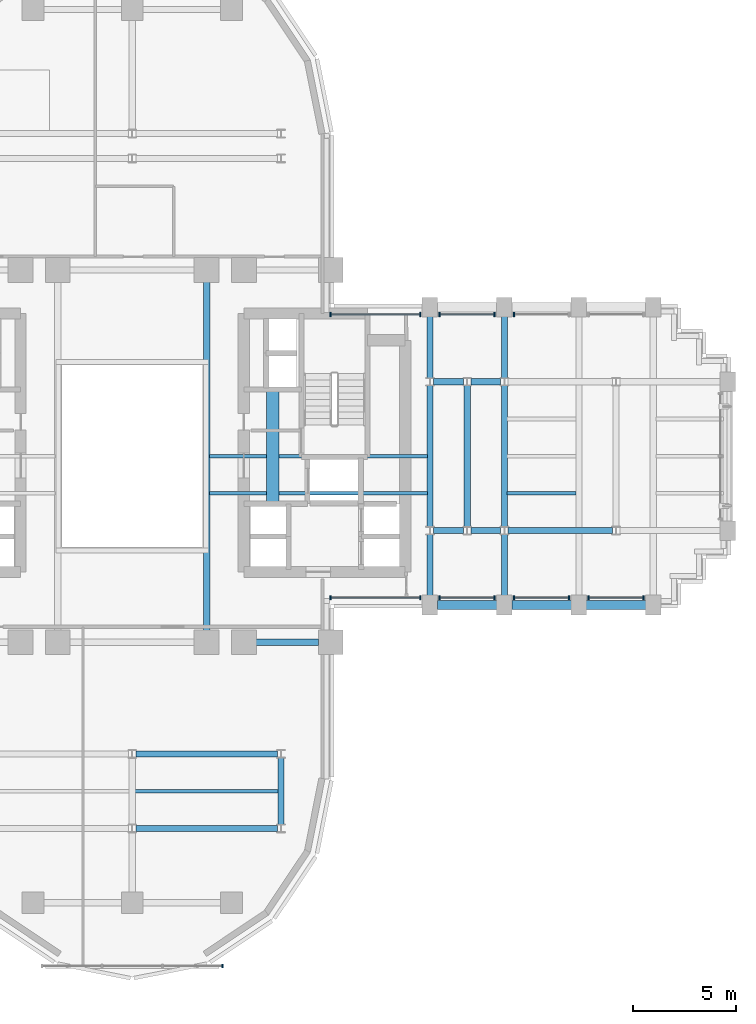
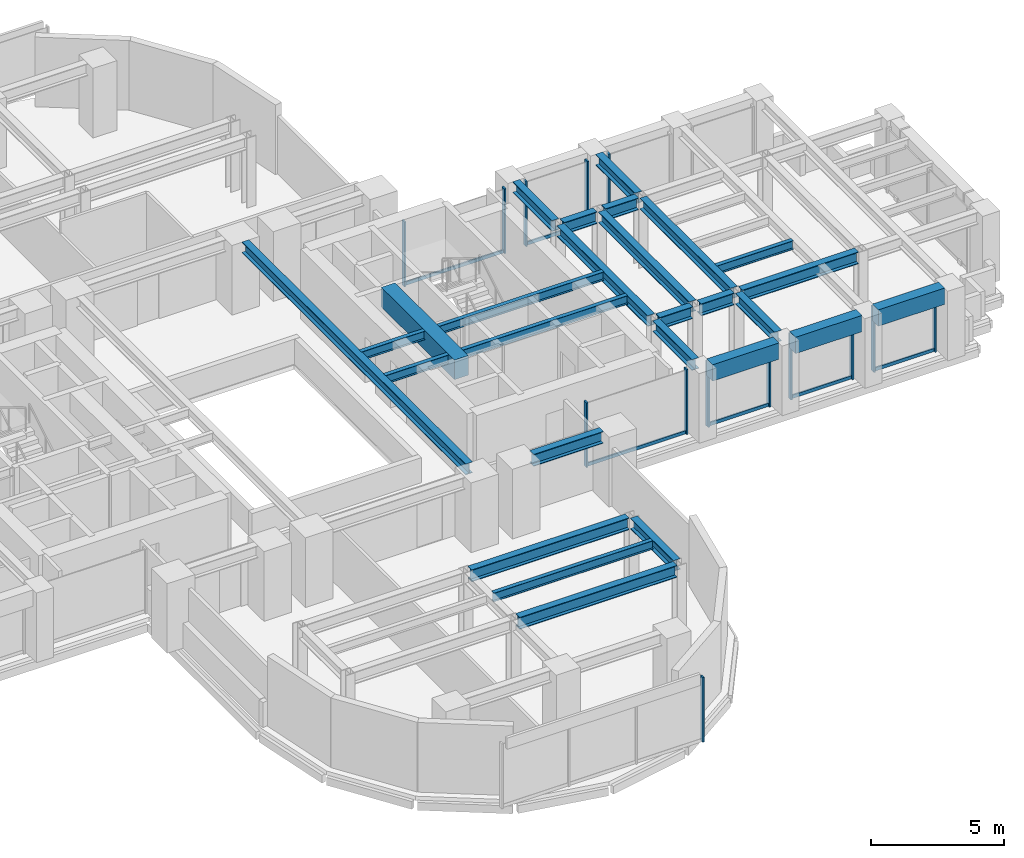
# One storey, part 5 of 16: 25 beams, 20 members, 8 elements without a shape of their own.
"""IFC4 building model written with IfcOpenShell, lengths in metres."""

from ifc_helpers import new_model, si_unit, direction, frame, origin, origin_2d, place, context, subcontext, project, spatial, rectangle, i_section, extrude, source, transform, mapped, material, material_profile, profile_set, type_object, element, aggregate, save


model = new_model("IFC4")

# Units and contexts
model_context = context("Model", 3, precision=1e-05, world=origin(), true_north=direction((0.0, 1.0)))
body_context = subcontext(model_context, "Body", "Model", "MODEL_VIEW")
ifc_project = project(units=[si_unit("LENGTHUNIT", "METRE"), si_unit("AREAUNIT", "SQUARE_METRE"), si_unit("VOLUMEUNIT", "CUBIC_METRE"), si_unit("PLANEANGLEUNIT", "RADIAN"), si_unit("MASSUNIT", "GRAM", prefix="KILO")], contexts=[model_context])

# Site, building, storey
site_placement = place(None, origin())
site = spatial("IfcSite", under=ifc_project, at=site_placement, CompositionType="ELEMENT")
building_placement = place(site_placement, origin())
building = spatial("IfcBuilding", under=site, at=building_placement, Name="Keilestroom Media Tower", CompositionType="ELEMENT")
storey_placement = place(building_placement, frame((0.0, 0.0, 30.60009765625)))
storey = spatial("IfcBuildingStorey", under=building, at=storey_placement, Name="L06", CompositionType="ELEMENT", Elevation=30.60009765625)

# Beams
ifc_material_1 = material(Name="Concrete C70/85", Category="concrete")
ifc_material_profile_1 = material_profile(ifc_material_1, rectangle(XDim=0.60009765625, YDim=0.89990234375, at=origin_2d()), Name="RC 600x900")
ifc_profile_set_1 = profile_set([ifc_material_profile_1], Name="Concrete C70/85")
beam_type_1 = type_object("IfcBeamType", Name="Core-Coupling-Lintel-Beam-RC-600x900", PredefinedType="LINTEL", material=ifc_profile_set_1)
shared_shape_1 = source(origin(), body_context, "Body", "SweptSolid", [
    extrude(rectangle(XDim=0.60009765625, YDim=0.89990234375, at=origin_2d()), origin(), (0.0, 0.0, 1.0), 5.52001953125),
])
beam_1_placement = place(storey_placement, frame((6.800048828125, -2.300048828125, 2.75), z_axis=(0.0, 1.0, 0.0), x_axis=(-1.0, 0.0, 0.0)))
element("IfcBeam", 1, at=beam_1_placement, inside=storey, type_object=beam_type_1, Name="L06 Beam CLB-1 CLB-L06-E", PredefinedType="LINTEL", context=body_context, shape_type="MappedRepresentation", body=[
    mapped(shared_shape_1, transform((0.0, 0.0, 0.0), x_axis=(1.0, 0.0, 0.0), y_axis=(0.0, 1.0, 0.0), z_axis=(0.0, 0.0, 1.0), scale=1.0)),
])
ifc_material_2 = material(Name="Steel S355", Category="steel")
ifc_material_profile_2 = material_profile(ifc_material_2, i_section(OverallWidth=0.300048828125, OverallDepth=0.550048828125, WebThickness=0.012939453125, FlangeThickness=0.029052734375, at=origin_2d()), Name="HEB 550")
ifc_profile_set_2 = profile_set([ifc_material_profile_2], Name="Steel S355")
beam_type_2 = type_object("IfcBeamType", Name="Primary-Structural-Girder-HEB-550", PredefinedType="BEAM", material=ifc_profile_set_2)
shared_shape_2 = source(origin(), body_context, "Body", "SweptSolid", [
    extrude(i_section(OverallWidth=0.300048828125, OverallDepth=0.550048828125, WebThickness=0.012939453125, FlangeThickness=0.029052734375, at=origin_2d()), origin(), (0.0, 0.0, 1.0), 6.836181640625),
])
for number, where, z_axis, x_axis, name in (
    (2, (0.181884765625, -18.0, 2.9248046875), (1.0, 0.0, 0.0), (0.0, 1.0, 0.0), "L06 Beam BG-5 BM-L06-EW-004"),
    (3, (0.181884765625, -14.39990234375, 2.9248046875), (1.0, 0.0, 0.0), (0.0, 1.0, 0.0), "L06 Beam BG-5 BM-L06-EW-006"),
):
    element("IfcBeam", number, at=place(storey_placement, frame(where, z_axis=z_axis, x_axis=x_axis)), inside=storey, type_object=beam_type_2, Name=name, PredefinedType="BEAM", context=body_context, shape_type="MappedRepresentation", body=[
        mapped(shared_shape_2, transform((0.0, 0.0, 0.0), x_axis=(1.0, 0.0, 0.0), y_axis=(0.0, 1.0, 0.0), z_axis=(0.0, 0.0, 1.0), scale=1.0)),
    ])
shared_shape_3 = source(origin(), body_context, "Body", "SweptSolid", [
    extrude(i_section(OverallWidth=0.300048828125, OverallDepth=0.550048828125, WebThickness=0.012939453125, FlangeThickness=0.029052734375, at=origin_2d()), origin(), (0.0, 0.0, 1.0), 3.0400390625),
])
beam_2_placement = place(storey_placement, frame((5.97998046875, -9.0, 2.9248046875), z_axis=(1.0, 0.0, 0.0), x_axis=(0.0, 1.0, 0.0)))
element("IfcBeam", 4, at=beam_2_placement, inside=storey, type_object=beam_type_2, Name="L06 Beam BG-5 BM-L06-EW-011", PredefinedType="BEAM", context=body_context, shape_type="MappedRepresentation", body=[
    mapped(shared_shape_3, transform((0.0, 0.0, 0.0), x_axis=(1.0, 0.0, 0.0), y_axis=(0.0, 1.0, 0.0), z_axis=(0.0, 0.0, 1.0), scale=1.0)),
])
ifc_material_3 = material(Name="Precast concrete C40/50", Category="concrete")
ifc_material_profile_3 = material_profile(ifc_material_3, rectangle(XDim=0.449951171875, YDim=0.75, at=origin_2d()), Name="PC 450x750")
ifc_profile_set_3 = profile_set([ifc_material_profile_3], Name="Precast concrete C40/50")
beam_type_3 = type_object("IfcBeamType", Name="Perimeter-Spandrel-Beam-PC-450x750", PredefinedType="SPANDREL", material=ifc_profile_set_3)
shared_shape_4 = source(origin(), body_context, "Body", "SweptSolid", [
    extrude(rectangle(XDim=0.449951171875, YDim=0.75, at=origin_2d()), origin(), (0.0, 0.0, 1.0), 2.889892578125),
])
beam_3_placement = place(storey_placement, frame((21.955078125, -7.199951171875, 2.824951171875), z_axis=(1.0, 0.0, 0.0), x_axis=(0.0, 1.0, 0.0)))
element("IfcBeam", 5, at=beam_3_placement, inside=storey, type_object=beam_type_3, Name="L06 Beam SPB-1 BM-L06-EW-017", PredefinedType="SPANDREL", context=body_context, shape_type="MappedRepresentation", body=[
    mapped(shared_shape_4, transform((0.0, 0.0, 0.0), x_axis=(1.0, 0.0, 0.0), y_axis=(0.0, 1.0, 0.0), z_axis=(0.0, 0.0, 1.0), scale=1.0)),
])
shared_shape_5 = source(origin(), body_context, "Body", "SweptSolid", [
    extrude(rectangle(XDim=0.449951171875, YDim=0.75, at=origin_2d()), origin(), (0.0, 0.0, 1.0), 2.89013671875),
])
for number, where, z_axis, x_axis, name in (
    (6, (14.7548828125, -7.199951171875, 2.824951171875), (1.0, 0.0, 0.0), (0.0, 1.0, 0.0), "L06 Beam SPB-1 BM-L06-EW-015"),
    (7, (18.35498046875, -7.199951171875, 2.824951171875), (1.0, 0.0, 0.0), (0.0, 1.0, 0.0), "L06 Beam SPB-1 BM-L06-EW-016"),
):
    element("IfcBeam", number, at=place(storey_placement, frame(where, z_axis=z_axis, x_axis=x_axis)), inside=storey, type_object=beam_type_3, Name=name, PredefinedType="SPANDREL", context=body_context, shape_type="MappedRepresentation", body=[
        mapped(shared_shape_5, transform((0.0, 0.0, 0.0), x_axis=(1.0, 0.0, 0.0), y_axis=(0.0, 1.0, 0.0), z_axis=(0.0, 0.0, 1.0), scale=1.0)),
    ])
shared_shape_6 = source(origin(), body_context, "Body", "SweptSolid", [
    extrude(i_section(OverallWidth=0.300048828125, OverallDepth=0.550048828125, WebThickness=0.012939453125, FlangeThickness=0.029052734375, at=origin_2d()), origin(), (0.0, 0.0, 1.0), 5.0361328125),
])
beam_4_placement = place(storey_placement, frame((18.181884765625, -3.60009765625, 2.9248046875), z_axis=(1.0, 0.0, 0.0), x_axis=(0.0, 1.0, 0.0)))
element("IfcBeam", 8, at=beam_4_placement, inside=storey, type_object=beam_type_2, Name="L06 Beam BG-5 BM-L06-EW-024", PredefinedType="BEAM", context=body_context, shape_type="MappedRepresentation", body=[
    mapped(shared_shape_6, transform((0.0, 0.0, 0.0), x_axis=(1.0, 0.0, 0.0), y_axis=(0.0, 1.0, 0.0), z_axis=(0.0, 0.0, 1.0), scale=1.0)),
])
shared_shape_7 = source(origin(), body_context, "Body", "SweptSolid", [
    extrude(i_section(OverallWidth=0.300048828125, OverallDepth=0.550048828125, WebThickness=0.012939453125, FlangeThickness=0.029052734375, at=origin_2d()), origin(), (0.0, 0.0, 1.0), 1.43603515625),
])
for number, where, z_axis, x_axis, name in (
    (9, (14.58203125, -3.60009765625, 2.9248046875), (1.0, 0.0, 0.0), (0.0, 1.0, 0.0), "L06 Beam BG-5 BM-L06-EW-022"),
    (10, (16.382080078125, -3.60009765625, 2.9248046875), (1.0, 0.0, 0.0), (0.0, 1.0, 0.0), "L06 Beam BG-5 BM-L06-EW-023"),
    (11, (14.58203125, 3.60009765625, 2.9248046875), (1.0, 0.0, 0.0), (0.0, 1.0, 0.0), "L06 Beam BG-5 BM-L06-EW-030"),
    (12, (16.382080078125, 3.60009765625, 2.9248046875), (1.0, 0.0, 0.0), (0.0, 1.0, 0.0), "L06 Beam BG-5 BM-L06-EW-031"),
):
    element("IfcBeam", number, at=place(storey_placement, frame(where, z_axis=z_axis, x_axis=x_axis)), inside=storey, type_object=beam_type_2, Name=name, PredefinedType="BEAM", context=body_context, shape_type="MappedRepresentation", body=[
        mapped(shared_shape_7, transform((0.0, 0.0, 0.0), x_axis=(1.0, 0.0, 0.0), y_axis=(0.0, 1.0, 0.0), z_axis=(0.0, 0.0, 1.0), scale=1.0)),
    ])
ifc_material_profile_4 = material_profile(ifc_material_2, i_section(OverallWidth=0.300048828125, OverallDepth=0.5, WebThickness=0.012451171875, FlangeThickness=0.028076171875, at=origin_2d()), Name="HEB 500")
ifc_profile_set_4 = profile_set([ifc_material_profile_4], Name="Steel S355")
beam_type_4 = type_object("IfcBeamType", Name="Primary-Structural-Girder-HEB-500", PredefinedType="BEAM", material=ifc_profile_set_4)
shared_shape_8 = source(origin(), body_context, "Body", "SweptSolid", [
    extrude(i_section(OverallWidth=0.300048828125, OverallDepth=0.5, WebThickness=0.012451171875, FlangeThickness=0.028076171875, at=origin_2d()), origin(), (0.0, 0.0, 1.0), 6.8330078125),
])
for number, where, z_axis, x_axis, name in (
    (13, (14.39990234375, -3.41650390625, 2.949951171875), (0.0, 1.0, 0.0), (-1.0, 0.0, 0.0), "L06 Beam BG-6 BM-L06-NS-077"),
    (14, (16.199951171875, -3.41650390625, 2.949951171875), (0.0, 1.0, 0.0), (-1.0, 0.0, 0.0), "L06 Beam BG-6 BM-L06-NS-079"),
    (15, (18.0, -3.41650390625, 2.949951171875), (0.0, 1.0, 0.0), (-1.0, 0.0, 0.0), "L06 Beam BG-6 BM-L06-NS-081"),
):
    element("IfcBeam", number, at=place(storey_placement, frame(where, z_axis=z_axis, x_axis=x_axis)), inside=storey, type_object=beam_type_4, Name=name, PredefinedType="BEAM", context=body_context, shape_type="MappedRepresentation", body=[
        mapped(shared_shape_8, transform((0.0, 0.0, 0.0), x_axis=(1.0, 0.0, 0.0), y_axis=(0.0, 1.0, 0.0), z_axis=(0.0, 0.0, 1.0), scale=1.0)),
    ])
shared_shape_9 = source(origin(), body_context, "Body", "SweptSolid", [
    extrude(i_section(OverallWidth=0.300048828125, OverallDepth=0.5, WebThickness=0.012451171875, FlangeThickness=0.028076171875, at=origin_2d()), origin(), (0.0, 0.0, 1.0), 2.961669921875),
])
for number, where, z_axis, x_axis, name in (
    (16, (14.39990234375, -6.7451171875, 2.949951171875), (0.0, 1.0, 0.0), (-1.0, 0.0, 0.0), "L06 Beam BG-6 BM-L06-NS-076"),
    (17, (14.39990234375, 3.783447265625, 2.949951171875), (0.0, 1.0, 0.0), (-1.0, 0.0, 0.0), "L06 Beam BG-6 BM-L06-NS-078"),
    (18, (18.0, -6.7451171875, 2.949951171875), (0.0, 1.0, 0.0), (-1.0, 0.0, 0.0), "L06 Beam BG-6 BM-L06-NS-080"),
    (19, (18.0, 3.783447265625, 2.949951171875), (0.0, 1.0, 0.0), (-1.0, 0.0, 0.0), "L06 Beam BG-6 BM-L06-NS-082"),
):
    element("IfcBeam", number, at=place(storey_placement, frame(where, z_axis=z_axis, x_axis=x_axis)), inside=storey, type_object=beam_type_4, Name=name, PredefinedType="BEAM", context=body_context, shape_type="MappedRepresentation", body=[
        mapped(shared_shape_9, transform((0.0, 0.0, 0.0), x_axis=(1.0, 0.0, 0.0), y_axis=(0.0, 1.0, 0.0), z_axis=(0.0, 0.0, 1.0), scale=1.0)),
    ])
shared_shape_10 = source(origin(), body_context, "Body", "SweptSolid", [
    extrude(i_section(OverallWidth=0.300048828125, OverallDepth=0.5, WebThickness=0.012451171875, FlangeThickness=0.028076171875, at=origin_2d()), origin(), (0.0, 0.0, 1.0), 3.23291015625),
])
beam_5_placement = place(storey_placement, frame((7.199951171875, -17.81640625, 2.949951171875), z_axis=(0.0, 1.0, 0.0), x_axis=(-1.0, 0.0, 0.0)))
element("IfcBeam", 20, at=beam_5_placement, inside=storey, type_object=beam_type_4, Name="L06 Beam BG-6 BM-L06-NS-073", PredefinedType="BEAM", context=body_context, shape_type="MappedRepresentation", body=[
    mapped(shared_shape_10, transform((0.0, 0.0, 0.0), x_axis=(1.0, 0.0, 0.0), y_axis=(0.0, 1.0, 0.0), z_axis=(0.0, 0.0, 1.0), scale=1.0)),
])
shared_shape_11 = source(origin(), body_context, "Body", "SweptSolid", [
    extrude(i_section(OverallWidth=0.300048828125, OverallDepth=0.5, WebThickness=0.012451171875, FlangeThickness=0.028076171875, at=origin_2d()), origin(), (0.0, 0.0, 1.0), 16.83984375),
])
beam_6_placement = place(storey_placement, frame((3.60009765625, -8.419921875, 2.949951171875), z_axis=(0.0, 1.0, 0.0), x_axis=(-1.0, 0.0, 0.0)))
element("IfcBeam", 21, at=beam_6_placement, inside=storey, type_object=beam_type_4, Name="L06 Beam BG-6 BM-L06-NS-071", PredefinedType="BEAM", context=body_context, shape_type="MappedRepresentation", body=[
    mapped(shared_shape_11, transform((0.0, 0.0, 0.0), x_axis=(1.0, 0.0, 0.0), y_axis=(0.0, 1.0, 0.0), z_axis=(0.0, 0.0, 1.0), scale=1.0)),
])
ifc_material_profile_5 = material_profile(ifc_material_2, i_section(OverallWidth=0.179931640625, OverallDepth=0.39990234375, WebThickness=0.008544921875, FlangeThickness=0.013427734375, at=origin_2d()), Name="IPE 400")
ifc_profile_set_5 = profile_set([ifc_material_profile_5], Name="Steel S355")
beam_type_5 = type_object("IfcBeamType", Name="Secondary-Floor-Joist-IPE-400", PredefinedType="JOIST", material=ifc_profile_set_5)
shared_shape_12 = source(origin(), body_context, "Body", "SweptSolid", [
    extrude(i_section(OverallWidth=0.179931640625, OverallDepth=0.39990234375, WebThickness=0.008544921875, FlangeThickness=0.013427734375, at=origin_2d()), origin(), (0.0, 0.0, 1.0), 6.940185546875),
])
beam_7_placement = place(storey_placement, frame((0.1298828125, -16.199951171875, 3.0), z_axis=(1.0, 0.0, 0.0), x_axis=(0.0, 1.0, 0.0)))
element("IfcBeam", 22, at=beam_7_placement, inside=storey, type_object=beam_type_5, Name="L06 Beam BJ-4 JST-L06-088", PredefinedType="JOIST", context=body_context, shape_type="MappedRepresentation", body=[
    mapped(shared_shape_12, transform((0.0, 0.0, 0.0), x_axis=(1.0, 0.0, 0.0), y_axis=(0.0, 1.0, 0.0), z_axis=(0.0, 0.0, 1.0), scale=1.0)),
])
shared_shape_13 = source(origin(), body_context, "Body", "SweptSolid", [
    extrude(i_section(OverallWidth=0.179931640625, OverallDepth=0.39990234375, WebThickness=0.008544921875, FlangeThickness=0.013427734375, at=origin_2d()), origin(), (0.0, 0.0, 1.0), 3.340087890625),
])
beam_8_placement = place(storey_placement, frame((18.1298828125, -1.800048828125, 3.0), z_axis=(1.0, 0.0, 0.0), x_axis=(0.0, 1.0, 0.0)))
element("IfcBeam", 23, at=beam_8_placement, inside=storey, type_object=beam_type_5, Name="L06 Beam BJ-4 JST-L06-094", PredefinedType="JOIST", context=body_context, shape_type="MappedRepresentation", body=[
    mapped(shared_shape_13, transform((0.0, 0.0, 0.0), x_axis=(1.0, 0.0, 0.0), y_axis=(0.0, 1.0, 0.0), z_axis=(0.0, 0.0, 1.0), scale=1.0)),
])
shared_shape_14 = source(origin(), body_context, "Body", "SweptSolid", [
    extrude(i_section(OverallWidth=0.179931640625, OverallDepth=0.39990234375, WebThickness=0.008544921875, FlangeThickness=0.013427734375, at=origin_2d()), origin(), (0.0, 0.0, 1.0), 10.5400390625),
])
for number, where, z_axis, x_axis, name in (
    (24, (3.72998046875, -1.800048828125, 3.0), (1.0, 0.0, 0.0), (0.0, 1.0, 0.0), "L06 Beam BJ-4 JST-L06-093"),
    (25, (3.72998046875, 0.0, 3.0), (1.0, 0.0, 0.0), (0.0, 1.0, 0.0), "L06 Beam BJ-4 JST-L06-100"),
):
    element("IfcBeam", number, at=place(storey_placement, frame(where, z_axis=z_axis, x_axis=x_axis)), inside=storey, type_object=beam_type_5, Name=name, PredefinedType="JOIST", context=body_context, shape_type="MappedRepresentation", body=[
        mapped(shared_shape_14, transform((0.0, 0.0, 0.0), x_axis=(1.0, 0.0, 0.0), y_axis=(0.0, 1.0, 0.0), z_axis=(0.0, 0.0, 1.0), scale=1.0)),
    ])

# Curtain wall, members
ifc_material_4 = material(Name="Anodised Aluminium Alloy", Category="aluminium")
curtain_wall_type_1 = type_object("IfcCurtainWallType", Name="Unitised-Curtain-Wall-CW-1", PredefinedType="NOTDEFINED", material=ifc_material_4)
curtain_wall_1_placement = place(storey_placement, origin())
curtain_wall_1 = element("IfcCurtainWall", 26, at=curtain_wall_1_placement, inside=storey, type_object=curtain_wall_type_1, Name="L06 Curtain Wall CW-1 CW-L06-NE-1", PredefinedType="NOTDEFINED")
ifc_material_profile_6 = material_profile(ifc_material_4, rectangle(XDim=0.070068359375, YDim=0.199951171875, at=origin_2d()), Name="ALU MULLION 70x200")
ifc_profile_set_6 = profile_set([ifc_material_profile_6], Name="Anodised Aluminium Alloy")
member_type_1 = type_object("IfcMemberType", Name="Curtain-Wall-Mullion-CW-1", PredefinedType="MULLION", material=ifc_profile_set_6)
shared_shape_15 = source(origin(), body_context, "Body", "SweptSolid", [
    extrude(rectangle(XDim=0.070068359375, YDim=0.199951171875, at=origin_2d()), origin(), (0.0, 0.0, 1.0), 2.97998046875),
])
member_1_placement = place(storey_placement, frame((9.5849609375, 6.85009765625, 0.0), z_axis=(0.0, 0.0, 1.0), x_axis=(1.0, 0.0, 0.0)))
member_1 = element("IfcMember", 27, at=member_1_placement, type_object=member_type_1, Name="CW-1 Mullion 00", PredefinedType="MULLION", context=body_context, shape_type="MappedRepresentation", body=[
    mapped(shared_shape_15, transform((0.0, 0.0, 0.0), x_axis=(1.0, 0.0, 0.0), y_axis=(0.0, 1.0, 0.0), z_axis=(0.0, 0.0, 1.0), scale=1.0)),
])
member_2_placement = place(storey_placement, frame((13.929931640625, 6.85009765625, 0.0), z_axis=(0.0, 0.0, 1.0), x_axis=(1.0, 0.0, 0.0)))
member_2 = element("IfcMember", 28, at=member_2_placement, type_object=member_type_1, Name="CW-1 Mullion 01", PredefinedType="MULLION", context=body_context, shape_type="MappedRepresentation", body=[
    mapped(shared_shape_15, transform((0.0, 0.0, 0.0), x_axis=(1.0, 0.0, 0.0), y_axis=(0.0, 1.0, 0.0), z_axis=(0.0, 0.0, 1.0), scale=1.0)),
])

curtain_wall_2_placement = place(storey_placement, origin())
curtain_wall_2 = element("IfcCurtainWall", 29, at=curtain_wall_2_placement, inside=storey, type_object=curtain_wall_type_1, Name="L06 Curtain Wall CW-1 CW-L06-NE-2", PredefinedType="NOTDEFINED")
member_3_placement = place(storey_placement, frame((14.8701171875, 6.85009765625, 0.0), z_axis=(0.0, 0.0, 1.0), x_axis=(1.0, 0.0, 0.0)))
member_3 = element("IfcMember", 30, at=member_3_placement, type_object=member_type_1, Name="CW-1 Mullion 00", PredefinedType="MULLION", context=body_context, shape_type="MappedRepresentation", body=[
    mapped(shared_shape_15, transform((0.0, 0.0, 0.0), x_axis=(1.0, 0.0, 0.0), y_axis=(0.0, 1.0, 0.0), z_axis=(0.0, 0.0, 1.0), scale=1.0)),
])
member_4_placement = place(storey_placement, frame((17.530029296875, 6.85009765625, 0.0), z_axis=(0.0, 0.0, 1.0), x_axis=(1.0, 0.0, 0.0)))
member_4 = element("IfcMember", 31, at=member_4_placement, type_object=member_type_1, Name="CW-1 Mullion 01", PredefinedType="MULLION", context=body_context, shape_type="MappedRepresentation", body=[
    mapped(shared_shape_15, transform((0.0, 0.0, 0.0), x_axis=(1.0, 0.0, 0.0), y_axis=(0.0, 1.0, 0.0), z_axis=(0.0, 0.0, 1.0), scale=1.0)),
])

# Curtain wall, member
curtain_wall_3_placement = place(storey_placement, origin())
curtain_wall_3 = element("IfcCurtainWall", 32, at=curtain_wall_3_placement, inside=storey, type_object=curtain_wall_type_1, Name="L06 Curtain Wall CW-1 CW-L06-NE-3", PredefinedType="NOTDEFINED")
member_5_placement = place(storey_placement, frame((18.469970703125, 6.85009765625, 0.0), z_axis=(0.0, 0.0, 1.0), x_axis=(1.0, 0.0, 0.0)))
member_5 = element("IfcMember", 33, at=member_5_placement, type_object=member_type_1, Name="CW-1 Mullion 00", PredefinedType="MULLION", context=body_context, shape_type="MappedRepresentation", body=[
    mapped(shared_shape_15, transform((0.0, 0.0, 0.0), x_axis=(1.0, 0.0, 0.0), y_axis=(0.0, 1.0, 0.0), z_axis=(0.0, 0.0, 1.0), scale=1.0)),
])
aggregate(curtain_wall_3, [member_5])

# Curtain wall, members
curtain_wall_4_placement = place(storey_placement, origin())
curtain_wall_4 = element("IfcCurtainWall", 34, at=curtain_wall_4_placement, inside=storey, type_object=curtain_wall_type_1, Name="L06 Curtain Wall CW-1 CW-L06-SE-1", PredefinedType="NOTDEFINED")
member_6_placement = place(storey_placement, frame((9.5849609375, -6.85009765625, 0.0), z_axis=(0.0, 0.0, 1.0), x_axis=(1.0, 0.0, 0.0)))
member_6 = element("IfcMember", 35, at=member_6_placement, type_object=member_type_1, Name="CW-1 Mullion 00", PredefinedType="MULLION", context=body_context, shape_type="MappedRepresentation", body=[
    mapped(shared_shape_15, transform((0.0, 0.0, 0.0), x_axis=(1.0, 0.0, 0.0), y_axis=(0.0, 1.0, 0.0), z_axis=(0.0, 0.0, 1.0), scale=1.0)),
])
member_7_placement = place(storey_placement, frame((13.929931640625, -6.85009765625, 0.0), z_axis=(0.0, 0.0, 1.0), x_axis=(1.0, 0.0, 0.0)))
member_7 = element("IfcMember", 36, at=member_7_placement, type_object=member_type_1, Name="CW-1 Mullion 01", PredefinedType="MULLION", context=body_context, shape_type="MappedRepresentation", body=[
    mapped(shared_shape_15, transform((0.0, 0.0, 0.0), x_axis=(1.0, 0.0, 0.0), y_axis=(0.0, 1.0, 0.0), z_axis=(0.0, 0.0, 1.0), scale=1.0)),
])

curtain_wall_5_placement = place(storey_placement, origin())
curtain_wall_5 = element("IfcCurtainWall", 37, at=curtain_wall_5_placement, inside=storey, type_object=curtain_wall_type_1, Name="L06 Curtain Wall CW-1 CW-L06-SE-2", PredefinedType="NOTDEFINED")
member_8_placement = place(storey_placement, frame((14.8701171875, -6.85009765625, 0.0), z_axis=(0.0, 0.0, 1.0), x_axis=(1.0, 0.0, 0.0)))
member_8 = element("IfcMember", 38, at=member_8_placement, type_object=member_type_1, Name="CW-1 Mullion 00", PredefinedType="MULLION", context=body_context, shape_type="MappedRepresentation", body=[
    mapped(shared_shape_15, transform((0.0, 0.0, 0.0), x_axis=(1.0, 0.0, 0.0), y_axis=(0.0, 1.0, 0.0), z_axis=(0.0, 0.0, 1.0), scale=1.0)),
])
member_9_placement = place(storey_placement, frame((17.530029296875, -6.85009765625, 0.0), z_axis=(0.0, 0.0, 1.0), x_axis=(1.0, 0.0, 0.0)))
member_9 = element("IfcMember", 39, at=member_9_placement, type_object=member_type_1, Name="CW-1 Mullion 01", PredefinedType="MULLION", context=body_context, shape_type="MappedRepresentation", body=[
    mapped(shared_shape_15, transform((0.0, 0.0, 0.0), x_axis=(1.0, 0.0, 0.0), y_axis=(0.0, 1.0, 0.0), z_axis=(0.0, 0.0, 1.0), scale=1.0)),
])

curtain_wall_6_placement = place(storey_placement, origin())
curtain_wall_6 = element("IfcCurtainWall", 40, at=curtain_wall_6_placement, inside=storey, type_object=curtain_wall_type_1, Name="L06 Curtain Wall CW-1 CW-L06-SE-3", PredefinedType="NOTDEFINED")
member_10_placement = place(storey_placement, frame((18.469970703125, -6.85009765625, 0.0), z_axis=(0.0, 0.0, 1.0), x_axis=(1.0, 0.0, 0.0)))
member_10 = element("IfcMember", 41, at=member_10_placement, type_object=member_type_1, Name="CW-1 Mullion 00", PredefinedType="MULLION", context=body_context, shape_type="MappedRepresentation", body=[
    mapped(shared_shape_15, transform((0.0, 0.0, 0.0), x_axis=(1.0, 0.0, 0.0), y_axis=(0.0, 1.0, 0.0), z_axis=(0.0, 0.0, 1.0), scale=1.0)),
])
member_11_placement = place(storey_placement, frame((21.1298828125, -6.85009765625, 0.0), z_axis=(0.0, 0.0, 1.0), x_axis=(1.0, 0.0, 0.0)))
member_11 = element("IfcMember", 42, at=member_11_placement, type_object=member_type_1, Name="CW-1 Mullion 01", PredefinedType="MULLION", context=body_context, shape_type="MappedRepresentation", body=[
    mapped(shared_shape_15, transform((0.0, 0.0, 0.0), x_axis=(1.0, 0.0, 0.0), y_axis=(0.0, 1.0, 0.0), z_axis=(0.0, 0.0, 1.0), scale=1.0)),
])

curtain_wall_7_placement = place(storey_placement, origin())
curtain_wall_7 = element("IfcCurtainWall", 43, at=curtain_wall_7_placement, inside=storey, type_object=curtain_wall_type_1, Name="L06 Curtain Wall CW-1 CW-L06-SE-4", PredefinedType="NOTDEFINED")
member_12_placement = place(storey_placement, frame((22.070068359375, -6.85009765625, 0.0), z_axis=(0.0, 0.0, 1.0), x_axis=(1.0, 0.0, 0.0)))
member_12 = element("IfcMember", 44, at=member_12_placement, type_object=member_type_1, Name="CW-1 Mullion 00", PredefinedType="MULLION", context=body_context, shape_type="MappedRepresentation", body=[
    mapped(shared_shape_15, transform((0.0, 0.0, 0.0), x_axis=(1.0, 0.0, 0.0), y_axis=(0.0, 1.0, 0.0), z_axis=(0.0, 0.0, 1.0), scale=1.0)),
])
member_13_placement = place(storey_placement, frame((24.72998046875, -6.85009765625, 0.0), z_axis=(0.0, 0.0, 1.0), x_axis=(1.0, 0.0, 0.0)))
member_13 = element("IfcMember", 45, at=member_13_placement, type_object=member_type_1, Name="CW-1 Mullion 01", PredefinedType="MULLION", context=body_context, shape_type="MappedRepresentation", body=[
    mapped(shared_shape_15, transform((0.0, 0.0, 0.0), x_axis=(1.0, 0.0, 0.0), y_axis=(0.0, 1.0, 0.0), z_axis=(0.0, 0.0, 1.0), scale=1.0)),
])

# Member
ifc_material_profile_7 = material_profile(ifc_material_4, rectangle(XDim=0.06494140625, YDim=0.14990234375, at=origin_2d()), Name="ALU TRANSOM 65x150")
ifc_profile_set_7 = profile_set([ifc_material_profile_7], Name="Anodised Aluminium Alloy")
member_type_2 = type_object("IfcMemberType", Name="Curtain-Wall-Transom-CW-1", PredefinedType="USERDEFINED", material=ifc_profile_set_7)
shared_shape_16 = source(origin(), body_context, "Body", "SweptSolid", [
    extrude(rectangle(XDim=0.06494140625, YDim=0.14990234375, at=origin_2d()), origin(), (0.0, 0.0, 1.0), 2.593994140625),
])
member_14_placement = place(storey_placement, frame((14.903076171875, 6.85009765625, 0.074951171875), z_axis=(1.0, 0.0, 0.0), x_axis=(0.0, 1.0, 0.0)))
member_14 = element("IfcMember", 46, at=member_14_placement, type_object=member_type_2, Name="CW-1 Transom 00.1", ObjectType="TRANSOM", PredefinedType="USERDEFINED", context=body_context, shape_type="MappedRepresentation", body=[
    mapped(shared_shape_16, transform((0.0, 0.0, 0.0), x_axis=(1.0, 0.0, 0.0), y_axis=(0.0, 1.0, 0.0), z_axis=(0.0, 0.0, 1.0), scale=1.0)),
])

aggregate(curtain_wall_2, [member_3, member_4, member_14])

member_15_placement = place(storey_placement, frame((14.903076171875, -6.85009765625, 0.074951171875), z_axis=(1.0, 0.0, 0.0), x_axis=(0.0, 1.0, 0.0)))
member_15 = element("IfcMember", 47, at=member_15_placement, type_object=member_type_2, Name="CW-1 Transom 00.1", ObjectType="TRANSOM", PredefinedType="USERDEFINED", context=body_context, shape_type="MappedRepresentation", body=[
    mapped(shared_shape_16, transform((0.0, 0.0, 0.0), x_axis=(1.0, 0.0, 0.0), y_axis=(0.0, 1.0, 0.0), z_axis=(0.0, 0.0, 1.0), scale=1.0)),
])

aggregate(curtain_wall_5, [member_8, member_9, member_15])

member_16_placement = place(storey_placement, frame((18.5029296875, -6.85009765625, 0.074951171875), z_axis=(1.0, 0.0, 0.0), x_axis=(0.0, 1.0, 0.0)))
member_16 = element("IfcMember", 48, at=member_16_placement, type_object=member_type_2, Name="CW-1 Transom 00.1", ObjectType="TRANSOM", PredefinedType="USERDEFINED", context=body_context, shape_type="MappedRepresentation", body=[
    mapped(shared_shape_16, transform((0.0, 0.0, 0.0), x_axis=(1.0, 0.0, 0.0), y_axis=(0.0, 1.0, 0.0), z_axis=(0.0, 0.0, 1.0), scale=1.0)),
])

aggregate(curtain_wall_6, [member_10, member_11, member_16])

member_17_placement = place(storey_placement, frame((22.10302734375, -6.85009765625, 0.074951171875), z_axis=(1.0, 0.0, 0.0), x_axis=(0.0, 1.0, 0.0)))
member_17 = element("IfcMember", 49, at=member_17_placement, type_object=member_type_2, Name="CW-1 Transom 00.1", ObjectType="TRANSOM", PredefinedType="USERDEFINED", context=body_context, shape_type="MappedRepresentation", body=[
    mapped(shared_shape_16, transform((0.0, 0.0, 0.0), x_axis=(1.0, 0.0, 0.0), y_axis=(0.0, 1.0, 0.0), z_axis=(0.0, 0.0, 1.0), scale=1.0)),
])

aggregate(curtain_wall_7, [member_12, member_13, member_17])

shared_shape_17 = source(origin(), body_context, "Body", "SweptSolid", [
    extrude(rectangle(XDim=0.06494140625, YDim=0.14990234375, at=origin_2d()), origin(), (0.0, 0.0, 1.0), 4.279052734375),
])
member_18_placement = place(storey_placement, frame((9.617919921875, 6.85009765625, 0.074951171875), z_axis=(1.0, 0.0, 0.0), x_axis=(0.0, 1.0, 0.0)))
member_18 = element("IfcMember", 50, at=member_18_placement, type_object=member_type_2, Name="CW-1 Transom 00.1", ObjectType="TRANSOM", PredefinedType="USERDEFINED", context=body_context, shape_type="MappedRepresentation", body=[
    mapped(shared_shape_17, transform((0.0, 0.0, 0.0), x_axis=(1.0, 0.0, 0.0), y_axis=(0.0, 1.0, 0.0), z_axis=(0.0, 0.0, 1.0), scale=1.0)),
])

aggregate(curtain_wall_1, [member_1, member_2, member_18])

member_19_placement = place(storey_placement, frame((9.617919921875, -6.85009765625, 0.074951171875), z_axis=(1.0, 0.0, 0.0), x_axis=(0.0, 1.0, 0.0)))
member_19 = element("IfcMember", 51, at=member_19_placement, type_object=member_type_2, Name="CW-1 Transom 00.1", ObjectType="TRANSOM", PredefinedType="USERDEFINED", context=body_context, shape_type="MappedRepresentation", body=[
    mapped(shared_shape_17, transform((0.0, 0.0, 0.0), x_axis=(1.0, 0.0, 0.0), y_axis=(0.0, 1.0, 0.0), z_axis=(0.0, 0.0, 1.0), scale=1.0)),
])

aggregate(curtain_wall_4, [member_6, member_7, member_19])

# Curtain wall, member
curtain_wall_type_2 = type_object("IfcCurtainWallType", Name="Unitised-Curtain-Wall-CW-6", PredefinedType="NOTDEFINED", material=ifc_material_4)
curtain_wall_8_placement = place(storey_placement, origin())
curtain_wall_8 = element("IfcCurtainWall", 52, at=curtain_wall_8_placement, inside=storey, type_object=curtain_wall_type_2, Name="L06 Curtain Wall CW-6 CW-L06-LS-1", PredefinedType="NOTDEFINED")
ifc_material_profile_8 = material_profile(ifc_material_4, rectangle(XDim=0.06494140625, YDim=0.179931640625, at=origin_2d()), Name="ALU MULLION 65x180")
ifc_profile_set_8 = profile_set([ifc_material_profile_8], Name="Anodised Aluminium Alloy")
member_type_3 = type_object("IfcMemberType", Name="Curtain-Wall-Mullion-CW-6", PredefinedType="MULLION", material=ifc_profile_set_8)
shared_shape_18 = source(origin(), body_context, "Body", "SweptSolid", [
    extrude(rectangle(XDim=0.06494140625, YDim=0.179931640625, at=origin_2d()), origin(), (0.0, 0.0, 1.0), 2.97998046875),
])
member_20_placement = place(storey_placement, frame((4.367431640625, -24.64990234375, 0.0), z_axis=(0.0, 0.0, 1.0), x_axis=(1.0, 0.0, 0.0)))
member_20 = element("IfcMember", 53, at=member_20_placement, type_object=member_type_3, Name="CW-6 Mullion 03", PredefinedType="MULLION", context=body_context, shape_type="MappedRepresentation", body=[
    mapped(shared_shape_18, transform((0.0, 0.0, 0.0), x_axis=(1.0, 0.0, 0.0), y_axis=(0.0, 1.0, 0.0), z_axis=(0.0, 0.0, 1.0), scale=1.0)),
])
aggregate(curtain_wall_8, [member_20])

save(model, "model.ifc")
